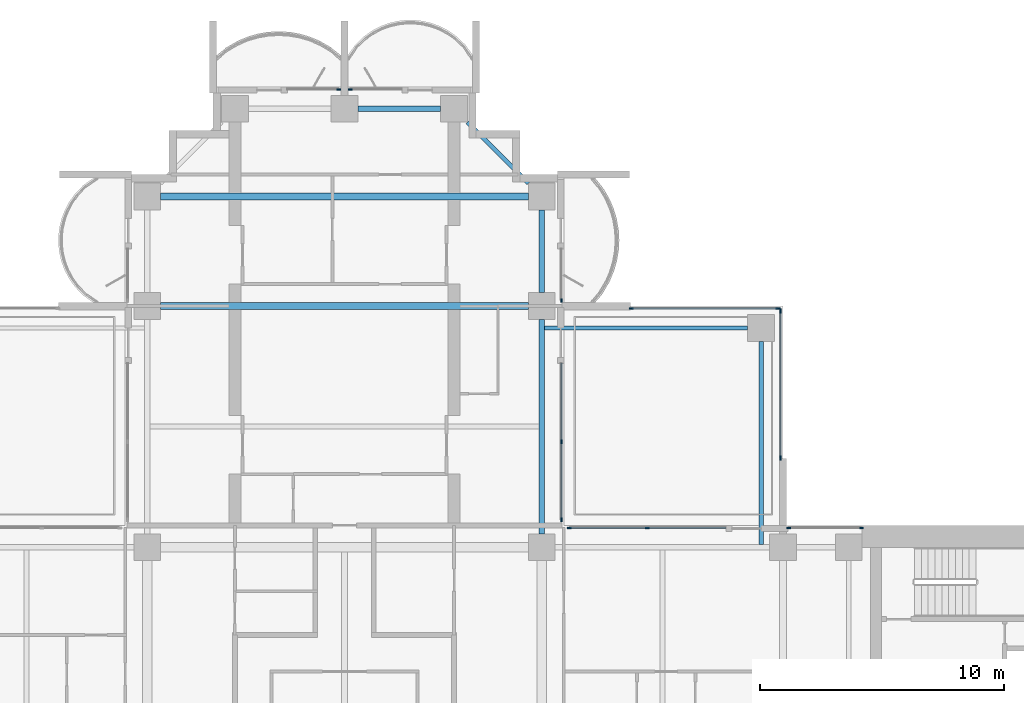
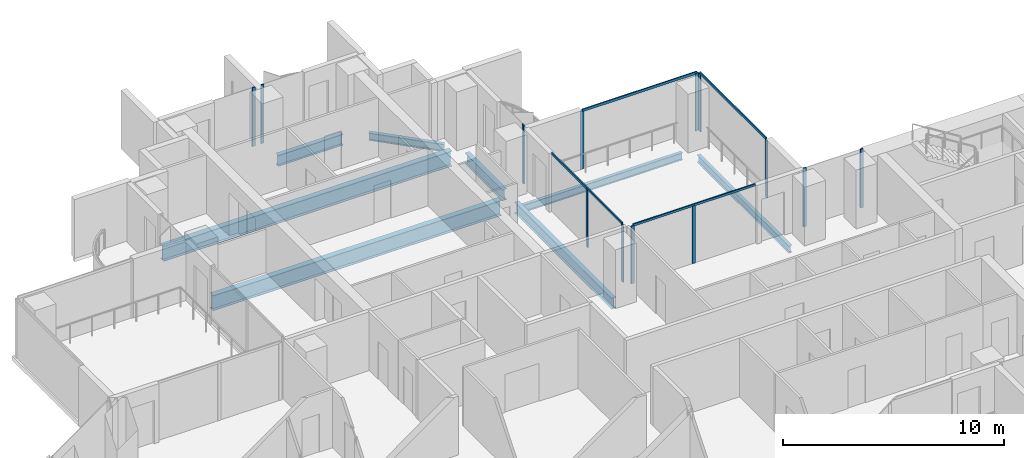
# One storey, part 6 of 18: 17 members, 8 beams, 8 elements without a shape of their own.
"""IFC4 building model written with IfcOpenShell, lengths in metres."""

from ifc_helpers import new_model, si_unit, direction, frame, origin, origin_2d, place, context, subcontext, project, spatial, rectangle, i_section, extrude, material, material_profile, profile_set, type_object, element, aggregate, save


model = new_model("IFC4")

# Units and contexts
model_context = context("Model", 3, precision=1e-05, world=origin(), true_north=direction((0.0, 1.0)))
body_context = subcontext(model_context, "Body", "Model", "MODEL_VIEW")
ifc_project = project(units=[si_unit("LENGTHUNIT", "METRE"), si_unit("AREAUNIT", "SQUARE_METRE"), si_unit("VOLUMEUNIT", "CUBIC_METRE"), si_unit("PLANEANGLEUNIT", "RADIAN"), si_unit("MASSUNIT", "GRAM", prefix="KILO")], contexts=[model_context])

# Site, building, storey
site_placement = place(None, origin())
site = spatial("IfcSite", under=ifc_project, at=site_placement, CompositionType="ELEMENT")
building_placement = place(site_placement, origin())
building = spatial("IfcBuilding", under=site, at=building_placement, Name="Perihelion Cross Residences", CompositionType="ELEMENT")
storey_placement = place(building_placement, frame((0.0, 0.0, 133.89990234375)))
storey = spatial("IfcBuildingStorey", under=building, at=storey_placement, Name="L32", CompositionType="ELEMENT", Elevation=133.89990234375)

# Curtain wall, members
ifc_material_1 = material(Name="Bronze anodised aluminium, tinted glazing", Category="aluminium")
curtain_wall_type_1 = type_object("IfcCurtainWallType", Name="CW1", PredefinedType="NOTDEFINED", material=ifc_material_1)
curtain_wall_1_placement = place(storey_placement, origin())
curtain_wall_1 = element("IfcCurtainWall", 1, at=curtain_wall_1_placement, inside=storey, type_object=curtain_wall_type_1, Name="Curtain wall CW1 L32 east side north bay 1", PredefinedType="NOTDEFINED")
ifc_material_2 = material(Name="Bronze anodised aluminium", Category="aluminium")
ifc_material_profile_1 = material_profile(ifc_material_2, rectangle(XDim=0.06005859375, YDim=0.159912109375, at=origin_2d()), Name="CW1 mullion")
ifc_profile_set_1 = profile_set([ifc_material_profile_1], Name="Bronze anodised aluminium")
member_type_1 = type_object("IfcMemberType", Name="CW1 mullion", PredefinedType="MULLION", material=ifc_profile_set_1)
member_1_placement = place(storey_placement, frame((21.219970703125, 8.89990234375, 0.0), z_axis=(0.0, 0.0, 1.0), x_axis=(0.0, -1.0, 0.0)))
member_1 = element("IfcMember", 2, at=member_1_placement, type_object=member_type_1, Name="CW1 mullion 1", PredefinedType="MULLION", context=body_context, shape_type="SweptSolid", body=[
    extrude(rectangle(XDim=0.06005859375, YDim=0.159912109375, at=origin_2d()), origin(), (0.0, 0.0, 1.0), 3.25),
])
member_2_placement = place(storey_placement, frame((18.22998046875, 8.89990234375, 0.0), z_axis=(0.0, 0.0, 1.0), x_axis=(0.0, -1.0, 0.0)))
member_2 = element("IfcMember", 3, at=member_2_placement, type_object=member_type_1, Name="CW1 mullion 2", PredefinedType="MULLION", context=body_context, shape_type="SweptSolid", body=[
    extrude(rectangle(XDim=0.06005859375, YDim=0.159912109375, at=origin_2d()), origin(), (0.0, 0.0, 1.0), 3.25),
])
aggregate(curtain_wall_1, [member_1, member_2])

curtain_wall_2_placement = place(storey_placement, origin())
curtain_wall_2 = element("IfcCurtainWall", 4, at=curtain_wall_2_placement, inside=storey, type_object=curtain_wall_type_1, Name="Curtain wall CW1 L32 east side north bay 2", PredefinedType="NOTDEFINED")
member_3_placement = place(storey_placement, frame((12.425048828125, 8.89990234375, 0.0), z_axis=(0.0, 0.0, 1.0), x_axis=(0.0, -1.0, 0.0)))
member_3 = element("IfcMember", 5, at=member_3_placement, type_object=member_type_1, Name="CW1 mullion 2", PredefinedType="MULLION", context=body_context, shape_type="SweptSolid", body=[
    extrude(rectangle(XDim=0.06005859375, YDim=0.159912109375, at=origin_2d()), origin(), (0.0, 0.0, 1.0), 3.190185546875),
])
member_4_placement = place(storey_placement, frame((9.22998046875, 8.89990234375, 0.0), z_axis=(0.0, 0.0, 1.0), x_axis=(0.0, -1.0, 0.0)))
member_4 = element("IfcMember", 6, at=member_4_placement, type_object=member_type_1, Name="CW1 mullion 3", PredefinedType="MULLION", context=body_context, shape_type="SweptSolid", body=[
    extrude(rectangle(XDim=0.06005859375, YDim=0.159912109375, at=origin_2d()), origin(), (0.0, 0.0, 1.0), 3.190185546875),
])

curtain_wall_3_placement = place(storey_placement, origin())
curtain_wall_3 = element("IfcCurtainWall", 7, at=curtain_wall_3_placement, inside=storey, type_object=curtain_wall_type_1, Name="Curtain wall CW1 L32 north side east bay 1", PredefinedType="NOTDEFINED")
member_5_placement = place(storey_placement, frame((8.89990234375, 9.22998046875, 0.0), z_axis=(0.0, 0.0, 1.0), x_axis=(-1.0, 0.0, 0.0)))
member_5 = element("IfcMember", 8, at=member_5_placement, type_object=member_type_1, Name="CW1 mullion 1", PredefinedType="MULLION", context=body_context, shape_type="SweptSolid", body=[
    extrude(rectangle(XDim=0.06005859375, YDim=0.159912109375, at=origin_2d()), origin(), (0.0, 0.0, 1.0), 3.190185546875),
])
member_6_placement = place(storey_placement, frame((8.89990234375, 12.425048828125, 0.0), z_axis=(0.0, 0.0, 1.0), x_axis=(-1.0, 0.0, 0.0)))
member_6 = element("IfcMember", 9, at=member_6_placement, type_object=member_type_1, Name="CW1 mullion 2", PredefinedType="MULLION", context=body_context, shape_type="SweptSolid", body=[
    extrude(rectangle(XDim=0.06005859375, YDim=0.159912109375, at=origin_2d()), origin(), (0.0, 0.0, 1.0), 3.190185546875),
])

# Curtain wall, member
curtain_wall_4_placement = place(storey_placement, origin())
curtain_wall_4 = element("IfcCurtainWall", 10, at=curtain_wall_4_placement, inside=storey, type_object=curtain_wall_type_1, Name="Curtain wall CW1 L32 north side east bay 2", PredefinedType="NOTDEFINED")
member_7_placement = place(storey_placement, frame((8.89990234375, 18.22998046875, 0.0), z_axis=(0.0, 0.0, 1.0), x_axis=(-1.0, 0.0, 0.0)))
member_7 = element("IfcMember", 11, at=member_7_placement, type_object=member_type_1, Name="CW1 mullion 1", PredefinedType="MULLION", context=body_context, shape_type="SweptSolid", body=[
    extrude(rectangle(XDim=0.06005859375, YDim=0.159912109375, at=origin_2d()), origin(), (0.0, 0.0, 1.0), 3.25),
])
aggregate(curtain_wall_4, [member_7])

curtain_wall_5_placement = place(storey_placement, origin())
curtain_wall_5 = element("IfcCurtainWall", 12, at=curtain_wall_5_placement, inside=storey, type_object=curtain_wall_type_1, Name="Curtain wall CW1 L32 north tip north bay 1", PredefinedType="NOTDEFINED")
member_8_placement = place(storey_placement, frame((0.22998046875, 26.89990234375, 0.0), z_axis=(0.0, 0.0, 1.0), x_axis=(0.0, -1.0, 0.0)))
member_8 = element("IfcMember", 13, at=member_8_placement, type_object=member_type_1, Name="CW1 mullion 2", PredefinedType="MULLION", context=body_context, shape_type="SweptSolid", body=[
    extrude(rectangle(XDim=0.06005859375, YDim=0.159912109375, at=origin_2d()), origin(), (0.0, 0.0, 1.0), 3.25),
])
aggregate(curtain_wall_5, [member_8])

curtain_wall_6_placement = place(storey_placement, origin())
curtain_wall_6 = element("IfcCurtainWall", 14, at=curtain_wall_6_placement, inside=storey, type_object=curtain_wall_type_1, Name="Curtain wall CW1 L32 north tip north bay 2", PredefinedType="NOTDEFINED")
member_9_placement = place(storey_placement, frame((-0.22998046875, 26.89990234375, 0.0), z_axis=(0.0, 0.0, 1.0), x_axis=(0.0, -1.0, 0.0)))
member_9 = element("IfcMember", 15, at=member_9_placement, type_object=member_type_1, Name="CW1 mullion 1", PredefinedType="MULLION", context=body_context, shape_type="SweptSolid", body=[
    extrude(rectangle(XDim=0.06005859375, YDim=0.159912109375, at=origin_2d()), origin(), (0.0, 0.0, 1.0), 3.25),
])
aggregate(curtain_wall_6, [member_9])

# Member
ifc_material_3 = material(Name="Bronze anodised aluminium", Category="aluminium")
ifc_material_profile_2 = material_profile(ifc_material_3, rectangle(XDim=0.06005859375, YDim=0.1201171875, at=origin_2d()), Name="CW1 transom")
ifc_profile_set_2 = profile_set([ifc_material_profile_2], Name="Bronze anodised aluminium")
member_type_2 = type_object("IfcMemberType", Name="CW1 transom", PredefinedType="USERDEFINED", material=ifc_profile_set_2)
member_10_placement = place(storey_placement, frame((15.64990234375, 8.89990234375, 3.22021484375), z_axis=(-1.0, 0.0, 0.0), x_axis=(0.0, -1.0, 0.0)))
member_10 = element("IfcMember", 16, at=member_10_placement, type_object=member_type_2, Name="CW1 head transom", ObjectType="TRANSOM", PredefinedType="USERDEFINED", context=body_context, shape_type="SweptSolid", body=[
    extrude(rectangle(XDim=0.06005859375, YDim=0.1201171875, at=origin_2d()), origin(), (0.0, 0.0, 1.0), 6.419921875),
])

aggregate(curtain_wall_2, [member_3, member_4, member_10])

member_11_placement = place(storey_placement, frame((8.89990234375, 9.22998046875, 3.22021484375), z_axis=(0.0, 1.0, 0.0), x_axis=(-1.0, 0.0, 0.0)))
member_11 = element("IfcMember", 17, at=member_11_placement, type_object=member_type_2, Name="CW1 head transom", ObjectType="TRANSOM", PredefinedType="USERDEFINED", context=body_context, shape_type="SweptSolid", body=[
    extrude(rectangle(XDim=0.06005859375, YDim=0.1201171875, at=origin_2d()), origin(), (0.0, 0.0, 1.0), 6.419921875),
])

aggregate(curtain_wall_3, [member_5, member_6, member_11])

# Curtain wall, members
ifc_material_4 = material(Name="Bronze anodised aluminium, tinted glazing", Category="aluminium")
curtain_wall_type_2 = type_object("IfcCurtainWallType", Name="CW4", PredefinedType="NOTDEFINED", material=ifc_material_4)
curtain_wall_7_placement = place(storey_placement, origin())
curtain_wall_7 = element("IfcCurtainWall", 18, at=curtain_wall_7_placement, inside=storey, type_object=curtain_wall_type_2, Name="Curtain wall CW4 L32 pocket north-east 1 1", PredefinedType="NOTDEFINED")
ifc_material_5 = material(Name="Bronze anodised aluminium", Category="aluminium")
ifc_material_profile_3 = material_profile(ifc_material_5, rectangle(XDim=0.06005859375, YDim=0.179931640625, at=origin_2d()), Name="CW4 mullion")
ifc_profile_set_3 = profile_set([ifc_material_profile_3], Name="Bronze anodised aluminium")
member_type_3 = type_object("IfcMemberType", Name="CW4 mullion", PredefinedType="MULLION", material=ifc_profile_set_3)
member_12_placement = place(storey_placement, frame((11.77001953125, 17.89990234375, 0.0), z_axis=(0.0, 0.0, 1.0), x_axis=(0.0, 1.0, 0.0)))
member_12 = element("IfcMember", 19, at=member_12_placement, type_object=member_type_3, Name="CW4 mullion 1", PredefinedType="MULLION", context=body_context, shape_type="SweptSolid", body=[
    extrude(rectangle(XDim=0.06005859375, YDim=0.179931640625, at=origin_2d()), origin(), (0.0, 0.0, 1.0), 3.190185546875),
])
member_13_placement = place(storey_placement, frame((17.800048828125, 17.89990234375, 0.0), z_axis=(0.0, 0.0, 1.0), x_axis=(0.0, 1.0, 0.0)))
member_13 = element("IfcMember", 20, at=member_13_placement, type_object=member_type_3, Name="CW4 mullion 2", PredefinedType="MULLION", context=body_context, shape_type="SweptSolid", body=[
    extrude(rectangle(XDim=0.06005859375, YDim=0.179931640625, at=origin_2d()), origin(), (0.0, 0.0, 1.0), 3.190185546875),
])

curtain_wall_8_placement = place(storey_placement, origin())
curtain_wall_8 = element("IfcCurtainWall", 21, at=curtain_wall_8_placement, inside=storey, type_object=curtain_wall_type_2, Name="Curtain wall CW4 L32 pocket north-east 1 2", PredefinedType="NOTDEFINED")
member_14_placement = place(storey_placement, frame((17.89990234375, 17.800048828125, 0.0), z_axis=(0.0, 0.0, 1.0), x_axis=(1.0, 0.0, 0.0)))
member_14 = element("IfcMember", 22, at=member_14_placement, type_object=member_type_3, Name="CW4 mullion 1", PredefinedType="MULLION", context=body_context, shape_type="SweptSolid", body=[
    extrude(rectangle(XDim=0.06005859375, YDim=0.179931640625, at=origin_2d()), origin(), (0.0, 0.0, 1.0), 3.190185546875),
])
member_15_placement = place(storey_placement, frame((17.89990234375, 11.77001953125, 0.0), z_axis=(0.0, 0.0, 1.0), x_axis=(1.0, 0.0, 0.0)))
member_15 = element("IfcMember", 23, at=member_15_placement, type_object=member_type_3, Name="CW4 mullion 2", PredefinedType="MULLION", context=body_context, shape_type="SweptSolid", body=[
    extrude(rectangle(XDim=0.06005859375, YDim=0.179931640625, at=origin_2d()), origin(), (0.0, 0.0, 1.0), 3.190185546875),
])

# Member
ifc_material_6 = material(Name="Bronze anodised aluminium", Category="aluminium")
ifc_material_profile_4 = material_profile(ifc_material_6, rectangle(XDim=0.06005859375, YDim=0.139892578125, at=origin_2d()), Name="CW4 transom")
ifc_profile_set_4 = profile_set([ifc_material_profile_4], Name="Bronze anodised aluminium")
member_type_4 = type_object("IfcMemberType", Name="CW4 transom", PredefinedType="USERDEFINED", material=ifc_profile_set_4)
member_16_placement = place(storey_placement, frame((11.77001953125, 17.89990234375, 3.22021484375), z_axis=(1.0, 0.0, 0.0), x_axis=(0.0, 1.0, 0.0)))
member_16 = element("IfcMember", 24, at=member_16_placement, type_object=member_type_4, Name="CW4 head transom", ObjectType="TRANSOM", PredefinedType="USERDEFINED", context=body_context, shape_type="SweptSolid", body=[
    extrude(rectangle(XDim=0.06005859375, YDim=0.139892578125, at=origin_2d()), origin(), (0.0, 0.0, 1.0), 6.030029296875),
])

aggregate(curtain_wall_7, [member_12, member_13, member_16])

member_17_placement = place(storey_placement, frame((17.89990234375, 17.800048828125, 3.22021484375), z_axis=(0.0, -1.0, 0.0), x_axis=(1.0, 0.0, 0.0)))
member_17 = element("IfcMember", 25, at=member_17_placement, type_object=member_type_4, Name="CW4 head transom", ObjectType="TRANSOM", PredefinedType="USERDEFINED", context=body_context, shape_type="SweptSolid", body=[
    extrude(rectangle(XDim=0.06005859375, YDim=0.139892578125, at=origin_2d()), origin(), (0.0, 0.0, 1.0), 6.030029296875),
])

aggregate(curtain_wall_8, [member_14, member_15, member_17])

# Beams
ifc_material_7 = material(Name="Steel S355", Category="steel")
ifc_material_profile_5 = material_profile(ifc_material_7, i_section(OverallWidth=0.177978515625, OverallDepth=0.406005859375, WebThickness=0.0078125, FlangeThickness=0.0126953125, at=origin_2d()), Name="W410x60")
ifc_profile_set_5 = profile_set([ifc_material_profile_5], Name="Steel S355")
beam_type_1 = type_object("IfcBeamType", Name="Core edge beam W410x60", PredefinedType="BEAM", material=ifc_profile_set_5)
for number, where, z_axis, x_axis, name in (
    (26, (17.10009765625, 8.214599609375, -0.452880859375), (0.0, 1.0, 0.0), (-1.0, 0.0, 0.0), "Core edge beam TB2 L32 corner no. 7"),
    (27, (8.214599609375, 17.10009765625, -0.452880859375), (1.0, 0.0, 0.0), (0.0, 1.0, 0.0), "Core edge beam TB2 L32 corner no. 8"),
):
    element("IfcBeam", number, at=place(storey_placement, frame(where, z_axis=z_axis, x_axis=x_axis)), inside=storey, type_object=beam_type_1, Name=name, PredefinedType="BEAM", context=body_context, shape_type="SweptSolid", body=[
        extrude(i_section(OverallWidth=0.177978515625, OverallDepth=0.406005859375, WebThickness=0.0078125, FlangeThickness=0.0126953125, at=origin_2d()), origin(), (0.0, 0.0, 1.0), 8.33544921875),
    ])
ifc_material_8 = material(Name="Steel S355", Category="steel")
ifc_material_profile_6 = material_profile(ifc_material_8, i_section(OverallWidth=0.22900390625, OverallDepth=0.612060546875, WebThickness=0.011962890625, FlangeThickness=0.01953125, at=origin_2d()), Name="W610x125")
ifc_profile_set_6 = profile_set([ifc_material_profile_6], Name="Steel S355")
beam_type_2 = type_object("IfcBeamType", Name="Edge beam W610x125", PredefinedType="SPANDREL", material=ifc_profile_set_6)
beam_1_placement = place(storey_placement, frame((8.10009765625, 8.64990234375, -0.555908203125), z_axis=(0.0, 1.0, 0.0), x_axis=(-1.0, 0.0, 0.0)))
element("IfcBeam", 28, at=beam_1_placement, inside=storey, type_object=beam_type_2, Name="Edge beam SB3 L32 no. 18", PredefinedType="SPANDREL", context=body_context, shape_type="SweptSolid", body=[
    extrude(i_section(OverallWidth=0.22900390625, OverallDepth=0.612060546875, WebThickness=0.011962890625, FlangeThickness=0.01953125, at=origin_2d()), origin(), (0.0, 0.0, 1.0), 8.800048828125),
])
for number, where, z_axis, x_axis, name in (
    (29, (8.10009765625, 18.550048828125, -0.555908203125), (0.0, 1.0, 0.0), (-1.0, 0.0, 0.0), "Edge beam SB3 L32 no. 17"),
    (30, (3.949951171875, 26.10009765625, -0.555908203125), (-1.0, 0.0, 0.0), (0.0, -1.0, 0.0), "Edge beam SB3 L32 no. 14"),
):
    element("IfcBeam", number, at=place(storey_placement, frame(where, z_axis=z_axis, x_axis=x_axis)), inside=storey, type_object=beam_type_2, Name=name, PredefinedType="SPANDREL", context=body_context, shape_type="SweptSolid", body=[
        extrude(i_section(OverallWidth=0.22900390625, OverallDepth=0.612060546875, WebThickness=0.011962890625, FlangeThickness=0.01953125, at=origin_2d()), origin(), (0.0, 0.0, 1.0), 3.39990234375),
    ])
ifc_material_9 = material(Name="Steel S355", Category="steel")
ifc_material_profile_7 = material_profile(ifc_material_9, i_section(OverallWidth=0.2919921875, OverallDepth=0.8359375, WebThickness=0.013916015625, FlangeThickness=0.018798828125, at=origin_2d()), Name="W840x176")
ifc_profile_set_7 = profile_set([ifc_material_profile_7], Name="Steel S355")
beam_type_3 = type_object("IfcBeamType", Name="Floor girder W840x176", PredefinedType="BEAM", material=ifc_profile_set_7)
for number, where, z_axis, x_axis, name in (
    (31, (-7.550048828125, 18.0, -0.66796875), (1.0, 0.0, 0.0), (0.0, 1.0, 0.0), "Girder G3 L32 no. 4"),
    (32, (-7.550048828125, 22.5, -0.66796875), (1.0, 0.0, 0.0), (0.0, 1.0, 0.0), "Girder G3 L32 no. 5"),
):
    element("IfcBeam", number, at=place(storey_placement, frame(where, z_axis=z_axis, x_axis=x_axis)), inside=storey, type_object=beam_type_3, Name=name, PredefinedType="BEAM", context=body_context, shape_type="SweptSolid", body=[
        extrude(i_section(OverallWidth=0.2919921875, OverallDepth=0.8359375, WebThickness=0.013916015625, FlangeThickness=0.018798828125, at=origin_2d()), origin(), (0.0, 0.0, 1.0), 15.10009765625),
    ])
ifc_material_10 = material(Name="Steel S355", Category="steel")
ifc_material_profile_8 = material_profile(ifc_material_10, i_section(OverallWidth=0.180908203125, OverallDepth=0.4169921875, WebThickness=0.010986328125, FlangeThickness=0.018310546875, at=origin_2d()), Name="W410x85")
ifc_profile_set_8 = profile_set([ifc_material_profile_8], Name="Steel S355")
beam_type_4 = type_object("IfcBeamType", Name="Serration edge beam W410x85", PredefinedType="BEAM", material=ifc_profile_set_8)
beam_2_placement = place(storey_placement, frame((7.550048828125, 23.050048828125, -0.45849609375), z_axis=(-0.707106781187, 0.707106781187, 0.0), x_axis=(-0.707106781187, -0.707106781187, 0.0)))
element("IfcBeam", 33, at=beam_2_placement, inside=storey, type_object=beam_type_4, Name="Serration edge beam EB3 L32 no. 4", PredefinedType="BEAM", context=body_context, shape_type="SweptSolid", body=[
    extrude(i_section(OverallWidth=0.180908203125, OverallDepth=0.4169921875, WebThickness=0.010986328125, FlangeThickness=0.018310546875, at=origin_2d()), origin(), (0.0, 0.0, 1.0), 3.53564453125),
])

save(model, "model.ifc")
